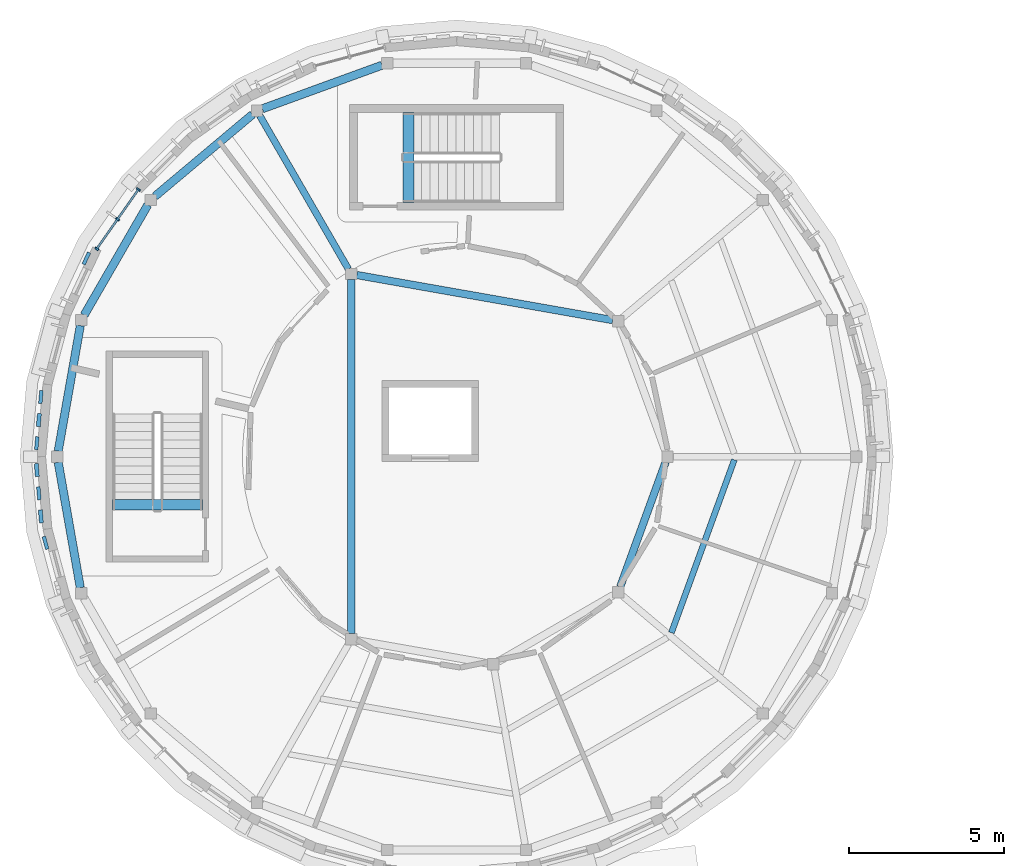
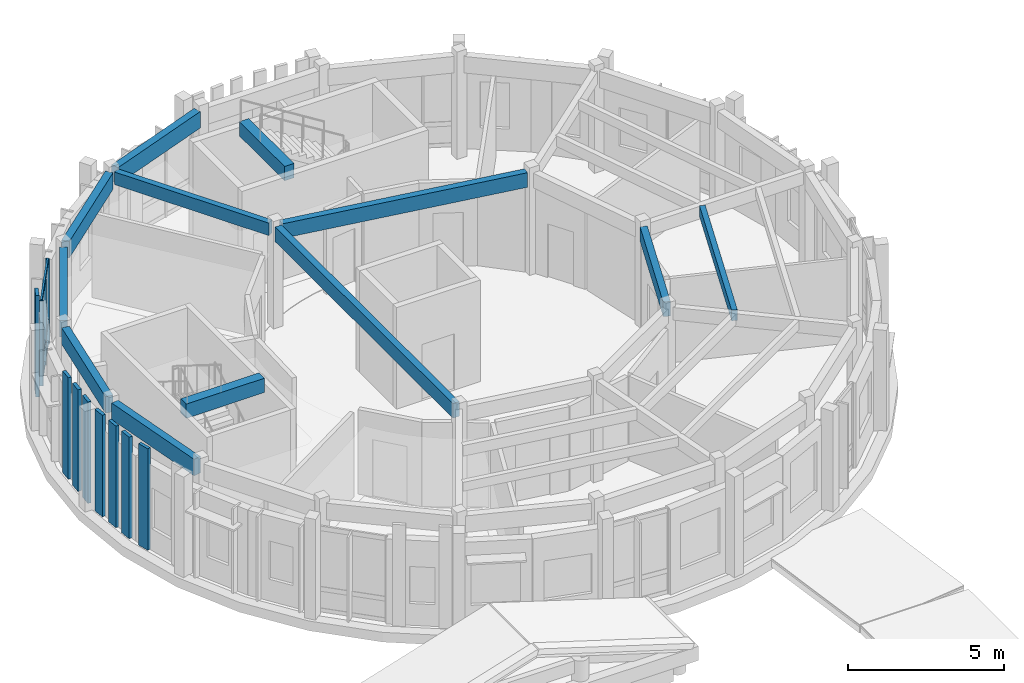
# One storey, part 14 of 58: 14 members, 12 beams, 1 element without a shape of its own.
"""IFC4 building model written with IfcOpenShell, lengths in metres."""

from ifc_helpers import new_model, si_unit, direction, frame, origin, origin_2d, place, context, subcontext, project, spatial, rectangle, extrude, material, layer, layer_set, material_profile, profile_set, type_object, element, aggregate, save


model = new_model("IFC4")

# Units and contexts
model_context = context("Model", 3, precision=1e-05, world=origin(), true_north=direction((0.0, 1.0)))
body_context = subcontext(model_context, "Body", "Model", "MODEL_VIEW")
ifc_project = project(units=[si_unit("LENGTHUNIT", "METRE"), si_unit("AREAUNIT", "SQUARE_METRE"), si_unit("VOLUMEUNIT", "CUBIC_METRE"), si_unit("PLANEANGLEUNIT", "RADIAN"), si_unit("MASSUNIT", "GRAM", prefix="KILO")], contexts=[model_context])

# Site, building, storey
site_placement = place(None, origin())
site = spatial("IfcSite", under=ifc_project, at=site_placement, CompositionType="ELEMENT")
building_placement = place(site_placement, origin())
building = spatial("IfcBuilding", under=site, at=building_placement, Name="Aldenvaro Health Centre", CompositionType="ELEMENT")
storey_placement = place(building_placement, frame((0.0, 0.0, 8.75)))
storey = spatial("IfcBuildingStorey", under=building, at=storey_placement, Name="L02", CompositionType="ELEMENT", Elevation=8.75)

# Beams
ifc_material_1 = material(Name="Glulam GL28h", Category="wood")
ifc_material_profile_1 = material_profile(ifc_material_1, rectangle(XDim=0.18994140625, YDim=0.41796875, at=origin_2d()), Name="GL 190x418", Category="wood")
ifc_profile_set_1 = profile_set([ifc_material_profile_1], Name="Glulam GL28h")
beam_type_1 = type_object("IfcBeamType", Name="BM-GL-418", PredefinedType="JOIST", material=ifc_profile_set_1)
beam_1_placement = place(storey_placement, frame((25.423095703125, 93.822998046875, 3.76611328125), z_axis=(0.341921455433, 0.939728534373, 0.0), x_axis=(-0.939728534373, 0.341921455433, 0.0)))
element("IfcBeam", 1, at=beam_1_placement, inside=storey, type_object=beam_type_1, Name="D4 L02 secondary joist 06.1", PredefinedType="JOIST", context=body_context, shape_type="SweptSolid", body=[
    extrude(rectangle(XDim=0.18994140625, YDim=0.41796875, at=origin_2d()), origin(), (0.0, 0.0, 1.0), 5.93359375),
])
ifc_material_profile_2 = material_profile(ifc_material_1, rectangle(XDim=0.215087890625, YDim=0.493896484375, at=origin_2d()), Name="GL 215x494", Category="wood")
ifc_profile_set_2 = profile_set([ifc_material_profile_2], Name="Glulam GL28h")
beam_type_2 = type_object("IfcBeamType", Name="BM-GL-494", PredefinedType="BEAM", material=ifc_profile_set_2)
beam_2_placement = place(storey_placement, frame((15.009033203125, 105.547119140625, 3.72802734375), z_axis=(-0.50011318099, 0.865960048847, 0.0), x_axis=(-0.865960048847, -0.50011318099, 0.0)))
element("IfcBeam", 2, at=beam_2_placement, inside=storey, type_object=beam_type_2, Name="D4 L02 radial beam 03", PredefinedType="BEAM", context=body_context, shape_type="SweptSolid", body=[
    extrude(rectangle(XDim=0.215087890625, YDim=0.493896484375, at=origin_2d()), origin(), (0.0, 0.0, 1.0), 5.715087890625),
])
ifc_material_profile_3 = material_profile(ifc_material_1, rectangle(XDim=0.239990234375, YDim=0.570068359375, at=origin_2d()), Name="GL 240x570", Category="wood")
ifc_profile_set_3 = profile_set([ifc_material_profile_3], Name="Glulam GL28h")
beam_type_3 = type_object("IfcBeamType", Name="BM-GL-570", PredefinedType="BEAM", material=ifc_profile_set_3)
beam_3_placement = place(storey_placement, frame((23.529052734375, 103.903076171875, 3.68994140625), z_axis=(-0.984821387533, 0.173570834697, 0.0), x_axis=(-0.173570834697, -0.984821387533, 0.0)))
element("IfcBeam", 3, at=beam_3_placement, inside=storey, type_object=beam_type_3, Name="D4 L02 inner ring beam 02", PredefinedType="BEAM", context=body_context, shape_type="SweptSolid", body=[
    extrude(rectangle(XDim=0.239990234375, YDim=0.570068359375, at=origin_2d()), origin(), (0.0, 0.0, 1.0), 8.376220703125),
])
beam_4_placement = place(storey_placement, frame((15.10009765625, 105.2060546875, 3.68994140625), z_axis=(0.0, -1.0, 0.0), x_axis=(1.0, 0.0, 0.0)))
element("IfcBeam", 4, at=beam_4_placement, inside=storey, type_object=beam_type_3, Name="D4 L02 inner ring beam 03", PredefinedType="BEAM", context=body_context, shape_type="SweptSolid", body=[
    extrude(rectangle(XDim=0.239990234375, YDim=0.570068359375, at=origin_2d()), origin(), (0.0, 0.0, 1.0), 11.412109375),
])
beam_5_placement = place(storey_placement, frame((23.77099609375, 95.300048828125, 3.68994140625), z_axis=(0.342140767649, 0.939648708355, 0.0), x_axis=(-0.939648708355, 0.342140767649, 0.0)))
element("IfcBeam", 5, at=beam_5_placement, inside=storey, type_object=beam_type_3, Name="D4 L02 inner ring beam 06", PredefinedType="BEAM", context=body_context, shape_type="SweptSolid", body=[
    extrude(rectangle(XDim=0.239990234375, YDim=0.570068359375, at=origin_2d()), origin(), (0.0, 0.0, 1.0), 4.287841796875),
])
ifc_material_profile_4 = material_profile(ifc_material_1, rectangle(XDim=0.264892578125, YDim=0.64599609375, at=origin_2d()), Name="GL 265x646", Category="wood")
ifc_profile_set_4 = profile_set([ifc_material_profile_4], Name="Glulam GL28h")
beam_type_4 = type_object("IfcBeamType", Name="BM-GL-646", PredefinedType="SPANDREL", material=ifc_profile_set_4)
beam_6_placement = place(storey_placement, frame((16.092041015625, 112.1220703125, 3.652099609375), z_axis=(-0.939638936846, -0.342167602738, 0.0), x_axis=(0.342167602738, -0.939638936846, 0.0)))
element("IfcBeam", 6, at=beam_6_placement, inside=storey, type_object=beam_type_4, Name="D4 L02 perimeter spandrel 06", PredefinedType="SPANDREL", context=body_context, shape_type="SweptSolid", body=[
    extrude(rectangle(XDim=0.264892578125, YDim=0.64599609375, at=origin_2d()), origin(), (0.0, 0.0, 1.0), 4.109130859375),
])
for number, where, z_axis, x_axis, name in (
    (7, (11.919921875, 110.537109375, 3.652099609375), (-0.765985749545, -0.64285755148, 0.0), (0.64285755148, -0.765985749545, 0.0), "D4 L02 perimeter spandrel 07"),
    (8, (8.5419921875, 107.62109375, 3.652099609375), (-0.499941933745, -0.866058925757, 0.0), (0.866058925757, -0.499941933745, 0.0), "D4 L02 perimeter spandrel 08"),
):
    element("IfcBeam", number, at=place(storey_placement, frame(where, z_axis=z_axis, x_axis=x_axis)), inside=storey, type_object=beam_type_4, Name=name, PredefinedType="SPANDREL", context=body_context, shape_type="SweptSolid", body=[
        extrude(rectangle(XDim=0.264892578125, YDim=0.64599609375, at=origin_2d()), origin(), (0.0, 0.0, 1.0), 4.1083984375),
    ])
for number, where, z_axis, x_axis, name in (
    (9, (6.364990234375, 103.72509765625, 3.652099609375), (-0.173558149534, -0.984823623158, 0.0), (0.984823623158, -0.173558149534, 0.0), "D4 L02 perimeter spandrel 09"),
    (10, (5.652099609375, 99.320068359375, 3.652099609375), (0.173558149534, -0.984823623158, 0.0), (0.984823623158, 0.173558149534, 0.0), "D4 L02 perimeter spandrel 10"),
):
    element("IfcBeam", number, at=place(storey_placement, frame(where, z_axis=z_axis, x_axis=x_axis)), inside=storey, type_object=beam_type_4, Name=name, PredefinedType="SPANDREL", context=body_context, shape_type="SweptSolid", body=[
        extrude(rectangle(XDim=0.264892578125, YDim=0.64599609375, at=origin_2d()), origin(), (0.0, 0.0, 1.0), 4.107421875),
    ])
ifc_material_2 = material(Name="Concrete f'c 40 MPa", Category="concrete")
ifc_material_profile_5 = material_profile(ifc_material_2, rectangle(XDim=0.35009765625, YDim=0.56005859375, at=origin_2d()), Name="RC 350x560", Category="concrete")
ifc_profile_set_5 = profile_set([ifc_material_profile_5], Name="Concrete f'c 40 MPa")
beam_type_5 = type_object("IfcBeamType", Name="BM-RC-560", PredefinedType="JOIST", material=ifc_profile_set_5)
for number, where, z_axis, x_axis, name in (
    (11, (16.949951171875, 107.699951171875, 3.919921875), (0.0, 1.0, 0.0), (-1.0, 0.0, 0.0), "ST-07 L03 stair landing trimmer beam"),
    (12, (10.300048828125, 97.949951171875, 3.919921875), (-1.0, 0.0, 0.0), (0.0, -1.0, 0.0), "ST-08 L03 stair landing trimmer beam"),
):
    element("IfcBeam", number, at=place(storey_placement, frame(where, z_axis=z_axis, x_axis=x_axis)), inside=storey, type_object=beam_type_5, Name=name, PredefinedType="JOIST", context=body_context, shape_type="SweptSolid", body=[
        extrude(rectangle(XDim=0.35009765625, YDim=0.56005859375, at=origin_2d()), origin(), (0.0, 0.0, 1.0), 2.900146484375),
    ])

# Curtain wall, members
ifc_material_3 = material(Name="Anodised Aluminium 6063-T6", Category="aluminium")
ifc_layer = layer(ifc_material_3, 0.195068359375, Name="Anodised Aluminium 6063-T6", Category="aluminium")
ifc_layer_set = layer_set([ifc_layer], Name="Anodised Aluminium 6063-T6")
curtain_wall_type = type_object("IfcCurtainWallType", Name="CW-CLN-02", PredefinedType="NOTDEFINED", material=ifc_layer_set)
curtain_wall_placement = place(storey_placement, origin())
curtain_wall = element("IfcCurtainWall", 13, at=curtain_wall_placement, inside=storey, type_object=curtain_wall_type, Name="D4 L02 curtain wall bay 22", PredefinedType="NOTDEFINED")
ifc_material_profile_6 = material_profile(ifc_material_3, rectangle(XDim=0.06005859375, YDim=0.135009765625, at=origin_2d()), Name="ALU 60x135", Category="aluminium")
ifc_profile_set_6 = profile_set([ifc_material_profile_6], Name="Anodised Aluminium 6063-T6")
member_type_1 = type_object("IfcMemberType", Name="CWM-150", PredefinedType="MULLION", material=ifc_profile_set_6)
member_1_placement = place(storey_placement, frame((6.89501953125, 106.199951171875, 0.0), z_axis=(0.0, 0.0, 1.0), x_axis=(0.573720929857, 0.819050849853, 0.0)))
member_1 = element("IfcMember", 14, at=member_1_placement, type_object=member_type_1, Name="D4 L02 curtain wall bay 22 mullion 1", PredefinedType="MULLION", context=body_context, shape_type="SweptSolid", body=[
    extrude(rectangle(XDim=0.06005859375, YDim=0.135009765625, at=origin_2d()), origin(), (0.0, 0.0, 1.0), 3.3291015625),
])
member_2_placement = place(storey_placement, frame((7.56494140625, 107.156005859375, 0.0), z_axis=(0.0, 0.0, 1.0), x_axis=(0.573720929857, 0.819050849853, 0.0)))
member_2 = element("IfcMember", 15, at=member_2_placement, type_object=member_type_1, Name="D4 L02 curtain wall bay 22 mullion 2", PredefinedType="MULLION", context=body_context, shape_type="SweptSolid", body=[
    extrude(rectangle(XDim=0.06005859375, YDim=0.135009765625, at=origin_2d()), origin(), (0.0, 0.0, 1.0), 3.3291015625),
])
member_3_placement = place(storey_placement, frame((8.235107421875, 108.113037109375, 0.0), z_axis=(0.0, 0.0, 1.0), x_axis=(0.573720929857, 0.819050849853, 0.0)))
member_3 = element("IfcMember", 16, at=member_3_placement, type_object=member_type_1, Name="D4 L02 curtain wall bay 22 mullion 3", PredefinedType="MULLION", context=body_context, shape_type="SweptSolid", body=[
    extrude(rectangle(XDim=0.06005859375, YDim=0.135009765625, at=origin_2d()), origin(), (0.0, 0.0, 1.0), 3.3291015625),
])
ifc_material_profile_7 = material_profile(ifc_material_3, rectangle(XDim=0.06494140625, YDim=0.179931640625, at=origin_2d()), Name="ALU 65x180", Category="aluminium")
ifc_profile_set_7 = profile_set([ifc_material_profile_7], Name="Anodised Aluminium 6063-T6")
member_type_2 = type_object("IfcMemberType", Name="CWT-150", PredefinedType="USERDEFINED", material=ifc_profile_set_7)
member_4_placement = place(storey_placement, frame((6.89501953125, 106.199951171875, 0.06005859375), z_axis=(0.573728883722, 0.819045278347, 0.0), x_axis=(-0.819045278347, 0.573728883722, 0.0)))
member_4 = element("IfcMember", 17, at=member_4_placement, type_object=member_type_2, Name="D4 L02 curtain wall bay 22 transom 1", ObjectType="TRANSOM", PredefinedType="USERDEFINED", context=body_context, shape_type="SweptSolid", body=[
    extrude(rectangle(XDim=0.06494140625, YDim=0.179931640625, at=origin_2d()), origin(), (0.0, 0.0, 1.0), 2.335693359375),
])
member_5_placement = place(storey_placement, frame((6.89501953125, 106.199951171875, 0.89990234375), z_axis=(0.573728883722, 0.819045278347, 0.0), x_axis=(-0.819045278347, 0.573728883722, 0.0)))
member_5 = element("IfcMember", 18, at=member_5_placement, type_object=member_type_2, Name="D4 L02 curtain wall bay 22 transom 2", ObjectType="TRANSOM", PredefinedType="USERDEFINED", context=body_context, shape_type="SweptSolid", body=[
    extrude(rectangle(XDim=0.06494140625, YDim=0.179931640625, at=origin_2d()), origin(), (0.0, 0.0, 1.0), 2.335693359375),
])
member_6_placement = place(storey_placement, frame((6.89501953125, 106.199951171875, 3.26904296875), z_axis=(0.573728883722, 0.819045278347, 0.0), x_axis=(-0.819045278347, 0.573728883722, 0.0)))
member_6 = element("IfcMember", 19, at=member_6_placement, type_object=member_type_2, Name="D4 L02 curtain wall bay 22 transom 3", ObjectType="TRANSOM", PredefinedType="USERDEFINED", context=body_context, shape_type="SweptSolid", body=[
    extrude(rectangle(XDim=0.06494140625, YDim=0.179931640625, at=origin_2d()), origin(), (0.0, 0.0, 1.0), 2.335693359375),
])
aggregate(curtain_wall, [member_1, member_2, member_3, member_4, member_5, member_6])

# Members
ifc_material_profile_8 = material_profile(ifc_material_1, rectangle(XDim=0.114990234375, YDim=0.419921875, at=origin_2d()), Name="GL 115x420", Category="wood")
ifc_profile_set_8 = profile_set([ifc_material_profile_8], Name="Glulam GL28h")
member_type_3 = type_object("IfcMemberType", Name="MEM-SLT-420A", PredefinedType="POST", material=ifc_profile_set_8)
for number, where, z_axis, x_axis, name in (
    (20, (5.243896484375, 96.721923828125, 0.0), (0.0, 0.0, 1.0), (-0.965978620089, -0.258621935517, 0.0), "D4 L02 vertical timber slat 17.3"),
    (21, (5.028076171875, 98.321044921875, 0.0), (0.0, 0.0, 1.0), (-0.996179299052, -0.087331575855, 0.0), "D4 L02 vertical timber slat 18.2"),
    (22, (4.9619140625, 99.93408203125, 0.0), (0.0, 0.0, 1.0), (-0.996179299052, 0.087331575855, 0.0), "D4 L02 vertical timber slat 19.1"),
    (23, (5.093017578125, 101.424072265625, 0.0), (0.0, 0.0, 1.0), (-0.996179299052, 0.087331575855, 0.0), "D4 L02 vertical timber slat 19.3"),
    (24, (6.55908203125, 105.89306640625, 0.0), (0.0, 0.0, 1.0), (-0.90633620484, 0.422557314215, 0.0), "D4 L02 vertical timber slat 21.3"),
):
    element("IfcMember", number, at=place(storey_placement, frame(where, z_axis=z_axis, x_axis=x_axis)), inside=storey, type_object=member_type_3, Name=name, PredefinedType="POST", context=body_context, shape_type="SweptSolid", body=[
        extrude(rectangle(XDim=0.114990234375, YDim=0.419921875, at=origin_2d()), origin(), (0.0, 0.0, 1.0), 3.97509765625),
    ])
ifc_material_profile_9 = material_profile(ifc_material_1, rectangle(XDim=0.1298828125, YDim=0.419921875, at=origin_2d()), Name="GL 130x420", Category="wood")
ifc_profile_set_9 = profile_set([ifc_material_profile_9], Name="Glulam GL28h")
member_type_4 = type_object("IfcMemberType", Name="MEM-SLT-420B", PredefinedType="POST", material=ifc_profile_set_9)
for number, where, z_axis, x_axis, name in (
    (25, (5.093017578125, 97.575927734375, 0.0), (0.0, 0.0, 1.0), (-0.996179299052, -0.087331575855, 0.0), "D4 L02 vertical timber slat 18.1"),
    (26, (4.9619140625, 99.06591796875, 0.0), (0.0, 0.0, 1.0), (-0.996179299052, -0.087331575855, 0.0), "D4 L02 vertical timber slat 18.3"),
    (27, (5.028076171875, 100.678955078125, 0.0), (0.0, 0.0, 1.0), (-0.996179299052, 0.087331575855, 0.0), "D4 L02 vertical timber slat 19.2"),
):
    element("IfcMember", number, at=place(storey_placement, frame(where, z_axis=z_axis, x_axis=x_axis)), inside=storey, type_object=member_type_4, Name=name, PredefinedType="POST", context=body_context, shape_type="SweptSolid", body=[
        extrude(rectangle(XDim=0.1298828125, YDim=0.419921875, at=origin_2d()), origin(), (0.0, 0.0, 1.0), 3.97509765625),
    ])

save(model, "model.ifc")
